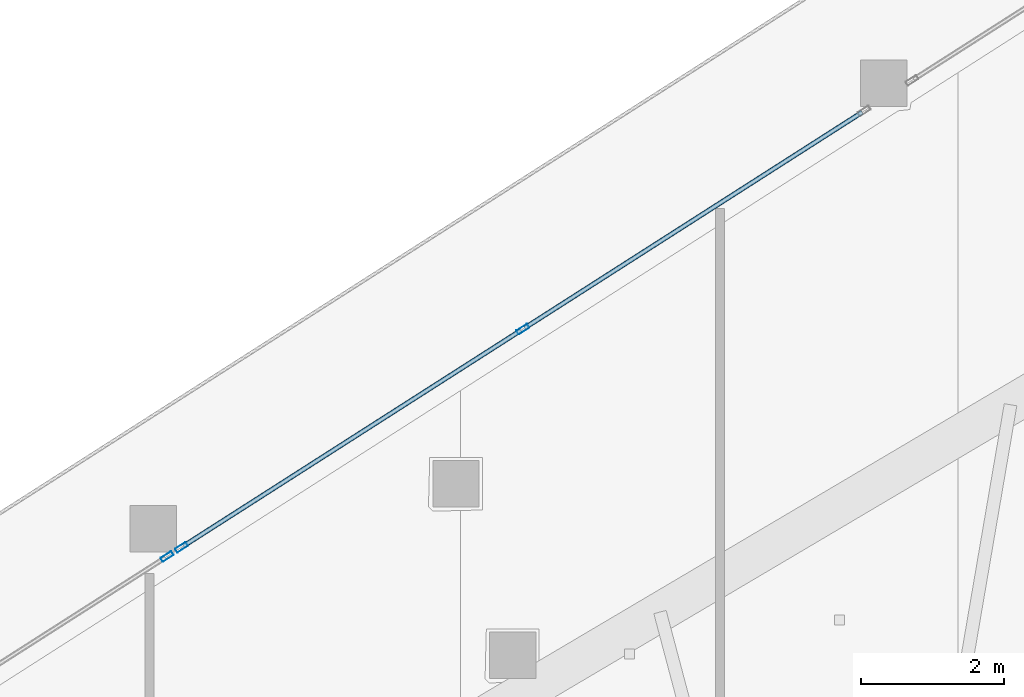
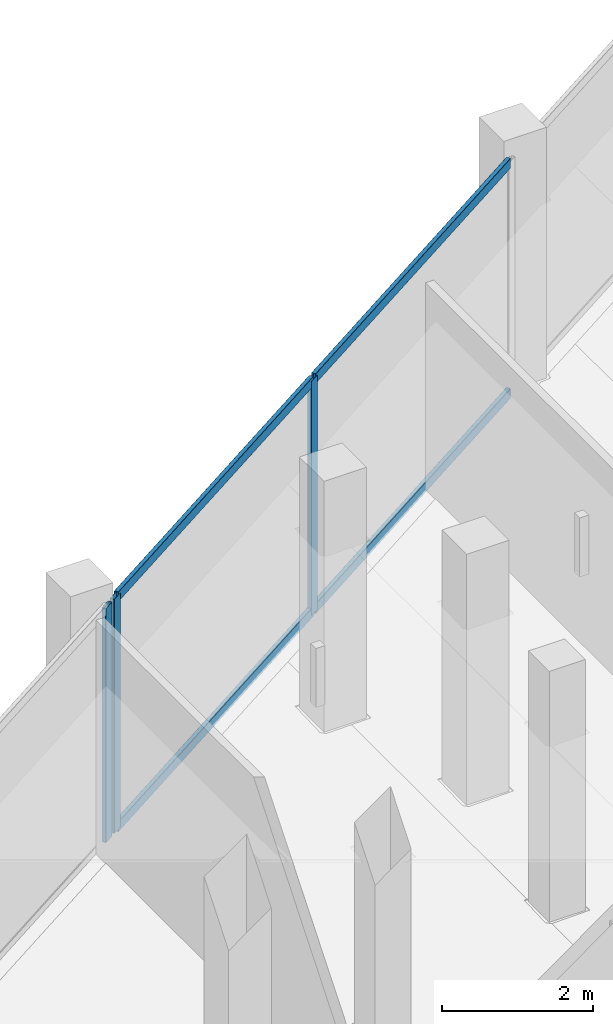
# One storey, part 16 of 35: 7 members, 2 elements without a shape of their own.
"""IFC4 building model written with IfcOpenShell, lengths in metres."""

from ifc_helpers import new_model, si_unit, direction, frame, origin, origin_2d, place, context, subcontext, project, spatial, hollow_rectangle, extrude, material, layer, layer_set, material_profile, profile_set, type_object, element, aggregate, save


model = new_model("IFC4")

# Units and contexts
model_context = context("Model", 3, precision=1e-05, world=origin(), true_north=direction((0.0, 1.0)))
body_context = subcontext(model_context, "Body", "Model", "MODEL_VIEW")
ifc_project = project(units=[si_unit("LENGTHUNIT", "METRE"), si_unit("AREAUNIT", "SQUARE_METRE"), si_unit("VOLUMEUNIT", "CUBIC_METRE"), si_unit("PLANEANGLEUNIT", "RADIAN"), si_unit("MASSUNIT", "GRAM", prefix="KILO")], contexts=[model_context])

# Site, building, storey
site_placement = place(None, origin())
site = spatial("IfcSite", under=ifc_project, at=site_placement, CompositionType="ELEMENT")
building_placement = place(site_placement, origin())
building = spatial("IfcBuilding", under=site, at=building_placement, Name="Qorvath Tower", CompositionType="ELEMENT")
storey_placement = place(building_placement, frame((0.0, 0.0, 130.050048828125)))
storey = spatial("IfcBuildingStorey", under=building, at=storey_placement, Name="L29", CompositionType="ELEMENT", Elevation=130.050048828125)

# Curtain wall, members
ifc_material_1 = material(Name="Anodised aluminium and triple low-E glass", Category="aluminium")
ifc_layer = layer(ifc_material_1, 0.179931640625)
ifc_layer_set = layer_set([ifc_layer], Name="CW-SYS-2")
curtain_wall_type = type_object("IfcCurtainWallType", Name="CW-SYS-2", PredefinedType="NOTDEFINED", material=ifc_layer_set)
curtain_wall_1_placement = place(storey_placement, origin())
curtain_wall_1 = element("IfcCurtainWall", 1, at=curtain_wall_1_placement, inside=storey, type_object=curtain_wall_type, Name="Curtain Wall CW-2 CW-T-L29-16.2", PredefinedType="NOTDEFINED")
ifc_material_2 = material(Name="Anodised aluminium 6063-T6", Category="aluminium")
ifc_material_profile_1 = material_profile(ifc_material_2, hollow_rectangle(XDim=0.06494140625, YDim=0.179931640625, WallThickness=0.00341796875, InnerFilletRadius=0.00341796875, OuterFilletRadius=0.007080078125, at=origin_2d()), Name="CWM 180x65")
ifc_profile_set_1 = profile_set([ifc_material_profile_1], Name="Anodised aluminium 6063-T6")
member_type_1 = type_object("IfcMemberType", Name="CWM-180", PredefinedType="MULLION", material=ifc_profile_set_1)
member_1_placement = place(storey_placement, frame((-30.081787109375, 21.62109375, 0.0), z_axis=(0.0, 0.0, 1.0), x_axis=(0.538529520478, -0.842606643442, 0.0)))
member_1 = element("IfcMember", 2, at=member_1_placement, type_object=member_type_1, Name="CW-2 mullion 2", PredefinedType="MULLION", context=body_context, shape_type="SweptSolid", body=[
    extrude(hollow_rectangle(XDim=0.06494140625, YDim=0.179931640625, WallThickness=0.00341796875, InnerFilletRadius=0.00341796875, OuterFilletRadius=0.007080078125, at=origin_2d()), origin(), (0.0, 0.0, 1.0), 3.780029296875),
])
member_2_placement = place(storey_placement, frame((-34.854248046875, 18.571044921875, 0.0), z_axis=(0.0, 0.0, 1.0), x_axis=(0.538529520478, -0.842606643442, 0.0)))
member_2 = element("IfcMember", 3, at=member_2_placement, type_object=member_type_1, Name="CW-2 mullion 3", PredefinedType="MULLION", context=body_context, shape_type="SweptSolid", body=[
    extrude(hollow_rectangle(XDim=0.06494140625, YDim=0.179931640625, WallThickness=0.00341796875, InnerFilletRadius=0.00341796875, OuterFilletRadius=0.007080078125, at=origin_2d()), origin(), (0.0, 0.0, 1.0), 3.780029296875),
])

# Curtain wall, member
curtain_wall_2_placement = place(storey_placement, origin())
curtain_wall_2 = element("IfcCurtainWall", 4, at=curtain_wall_2_placement, inside=storey, type_object=curtain_wall_type, Name="Curtain Wall CW-2 CW-T-L29-16.3", PredefinedType="NOTDEFINED")
member_3_placement = place(storey_placement, frame((-35.056396484375, 18.441650390625, 0.0), z_axis=(0.0, 0.0, 1.0), x_axis=(0.538534177075, -0.842603667285, 0.0)))
member_3 = element("IfcMember", 5, at=member_3_placement, type_object=member_type_1, Name="CW-2 mullion 1", PredefinedType="MULLION", context=body_context, shape_type="SweptSolid", body=[
    extrude(hollow_rectangle(XDim=0.06494140625, YDim=0.179931640625, WallThickness=0.00341796875, InnerFilletRadius=0.00341796875, OuterFilletRadius=0.007080078125, at=origin_2d()), origin(), (0.0, 0.0, 1.0), 3.780029296875),
])
aggregate(curtain_wall_2, [member_3])

# Member
ifc_material_3 = material(Name="Anodised aluminium 6063-T6", Category="aluminium")
ifc_material_profile_2 = material_profile(ifc_material_3, hollow_rectangle(XDim=0.06494140625, YDim=0.159912109375, WallThickness=0.00341796875, InnerFilletRadius=0.00341796875, OuterFilletRadius=0.007080078125, at=origin_2d()), Name="CWT 160x65")
ifc_profile_set_2 = profile_set([ifc_material_profile_2], Name="Anodised aluminium 6063-T6")
member_type_2 = type_object("IfcMemberType", Name="CWT-160", PredefinedType="USERDEFINED", material=ifc_profile_set_2)
member_4_placement = place(storey_placement, frame((-25.3369140625, 24.65380859375, 0.032470703125), z_axis=(-0.842602272664, -0.538536359127, 0.0), x_axis=(0.538536359127, -0.842602272664, 0.0)))
member_4 = element("IfcMember", 6, at=member_4_placement, type_object=member_type_2, Name="CW-2 transom 1.1", ObjectType="TRANSOM", PredefinedType="USERDEFINED", context=body_context, shape_type="SweptSolid", body=[
    extrude(hollow_rectangle(XDim=0.06494140625, YDim=0.159912109375, WallThickness=0.00341796875, InnerFilletRadius=0.00341796875, OuterFilletRadius=0.007080078125, at=origin_2d()), origin(), (0.0, 0.0, 1.0), 5.598876953125),
])

member_5_placement = place(storey_placement, frame((-25.3369140625, 24.65380859375, 3.74755859375), z_axis=(-0.842602272664, -0.538536359127, 0.0), x_axis=(0.538536359127, -0.842602272664, 0.0)))
member_5 = element("IfcMember", 7, at=member_5_placement, type_object=member_type_2, Name="CW-2 transom 1.2", ObjectType="TRANSOM", PredefinedType="USERDEFINED", context=body_context, shape_type="SweptSolid", body=[
    extrude(hollow_rectangle(XDim=0.06494140625, YDim=0.159912109375, WallThickness=0.00341796875, InnerFilletRadius=0.00341796875, OuterFilletRadius=0.007080078125, at=origin_2d()), origin(), (0.0, 0.0, 1.0), 5.598876953125),
])

member_6_placement = place(storey_placement, frame((-30.109375, 21.603515625, 0.032470703125), z_axis=(-0.842622059823, -0.53850539858, 0.0), x_axis=(0.53850539858, -0.842622059823, 0.0)))
member_6 = element("IfcMember", 8, at=member_6_placement, type_object=member_type_2, Name="CW-2 transom 2.1", ObjectType="TRANSOM", PredefinedType="USERDEFINED", context=body_context, shape_type="SweptSolid", body=[
    extrude(hollow_rectangle(XDim=0.06494140625, YDim=0.159912109375, WallThickness=0.00341796875, InnerFilletRadius=0.00341796875, OuterFilletRadius=0.007080078125, at=origin_2d()), origin(), (0.0, 0.0, 1.0), 5.5986328125),
])

member_7_placement = place(storey_placement, frame((-30.109375, 21.603515625, 3.74755859375), z_axis=(-0.842622059823, -0.53850539858, 0.0), x_axis=(0.53850539858, -0.842622059823, 0.0)))
member_7 = element("IfcMember", 9, at=member_7_placement, type_object=member_type_2, Name="CW-2 transom 2.2", ObjectType="TRANSOM", PredefinedType="USERDEFINED", context=body_context, shape_type="SweptSolid", body=[
    extrude(hollow_rectangle(XDim=0.06494140625, YDim=0.159912109375, WallThickness=0.00341796875, InnerFilletRadius=0.00341796875, OuterFilletRadius=0.007080078125, at=origin_2d()), origin(), (0.0, 0.0, 1.0), 5.5986328125),
])

aggregate(curtain_wall_1, [member_1, member_2, member_4, member_5, member_6, member_7])

save(model, "model.ifc")
